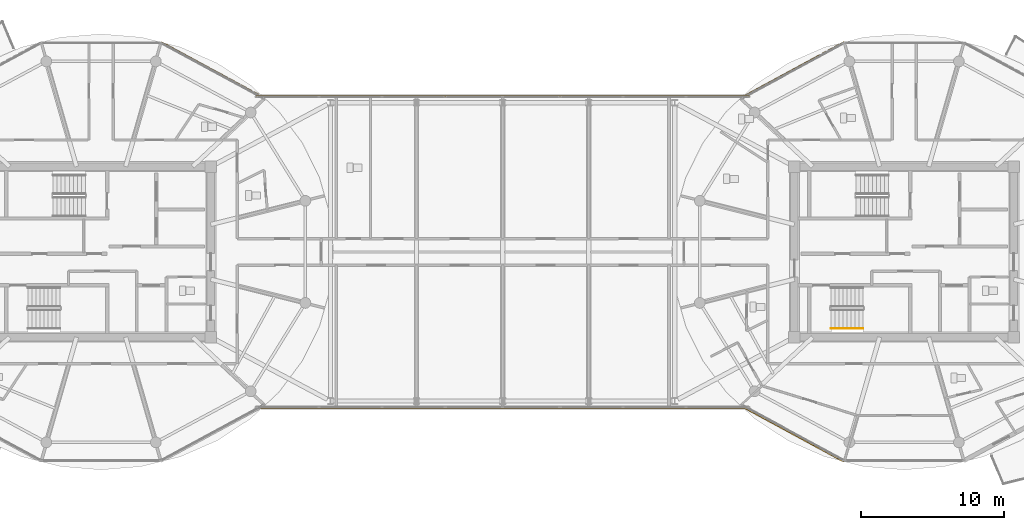
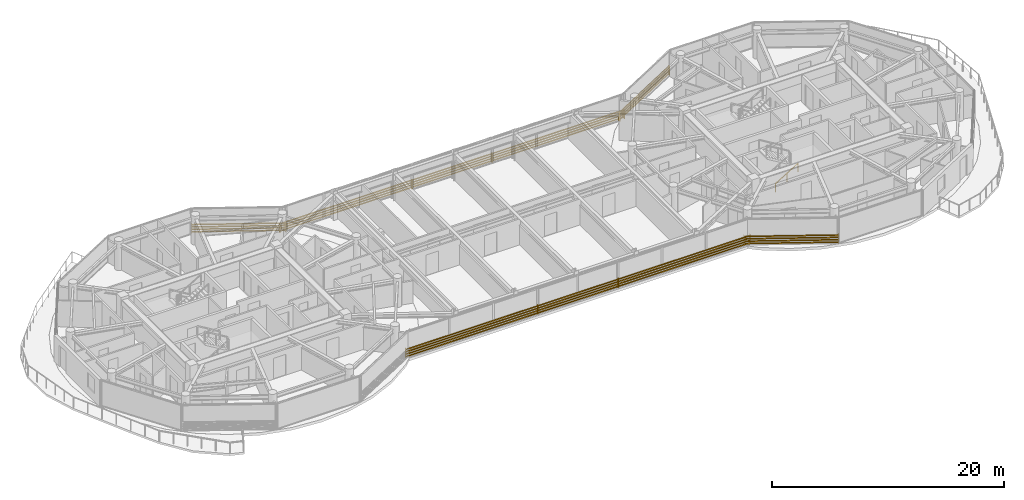
# One storey, part 24 of 26: 9 shading devices, 1 railing.
"""IFC4 building model written with IfcOpenShell, lengths in metres."""

import ifcopenshell
import ifcopenshell.guid

model = None  # the IFC model being written
_history = None  # IfcOwnerHistory: only IFC2X3 demands one
_inside = {}  # id of a spatial element -> (the spatial element, [elements in it])
_under = {}  # id of a project, library or spatial element -> (it, [spatial elements below it])
_declared = {}  # id of a project -> (the project, [libraries it declares])
_typed = {}  # id of a type object -> (the type object, [elements of that type])
_made_of = {}  # id of a material, layer set ... -> (it, [elements and type objects made of it])


def new_model(schema):
    """Start an empty IFC model of exactly this schema.

    Asked for "IFC4X3", IfcOpenShell would pick the latest addendum, in which some entities
    have other attributes; the version numbers below select the first issue.
    IFC2X3 requires an IfcOwnerHistory on every rooted entity: one is made here for all.
    """
    global model, _history
    if schema == "IFC4X3":
        model = ifcopenshell.file(schema_version=(4, 3, 0, 0))
    else:
        model = ifcopenshell.file(schema=schema)
    _inside.clear()
    _under.clear()
    _declared.clear()
    _typed.clear()
    _made_of.clear()
    _history = None
    if model.schema == "IFC2X3":
        org = make("IfcOrganization", Name="unknown")
        user = make(
            "IfcPersonAndOrganization",
            ThePerson=make("IfcPerson", FamilyName="unknown"),
            TheOrganization=org,
        )
        app = make(
            "IfcApplication",
            ApplicationDeveloper=org,
            Version="unknown",
            ApplicationFullName="unknown",
            ApplicationIdentifier="unknown",
        )
        _history = make(
            "IfcOwnerHistory",
            OwningUser=user,
            OwningApplication=app,
            ChangeAction="ADDED",
            CreationDate=0,
        )
    return model


def make(cls, **values):
    """One entity of the class cls with the attributes given. An attribute that is None is left unset."""
    return model.create_entity(
        cls, **{name: value for name, value in values.items() if value is not None}
    )


def rooted(cls, **values):
    """An entity with a GlobalId (a new one), such as an element, a storey or a relation."""
    return make(cls, GlobalId=ifcopenshell.guid.new(), OwnerHistory=_history, **values)


def si_unit(unit_type, name, prefix=None):
    """IfcSIUnit, for example si_unit("LENGTHUNIT", "METRE", prefix="MILLI")."""
    return make("IfcSIUnit", UnitType=unit_type, Prefix=prefix, Name=name)


def assignment(units):
    """IfcUnitAssignment: the units of a project."""
    return None if units is None else make("IfcUnitAssignment", Units=units)


def point(xyz):
    """IfcCartesianPoint."""
    return None if xyz is None else make("IfcCartesianPoint", Coordinates=xyz)


def direction(xyz):
    """IfcDirection."""
    return None if xyz is None else make("IfcDirection", DirectionRatios=xyz)


def frame(location, z_axis=None, x_axis=None):
    """IfcAxis2Placement3D, a coordinate frame: its origin and axes. An axis left out is left unset."""
    return make(
        "IfcAxis2Placement3D",
        Location=point(location),
        Axis=direction(z_axis),
        RefDirection=direction(x_axis),
    )


def frame_2d(location, x_axis=None):
    """IfcAxis2Placement2D, a coordinate frame in the plane: its origin and x axis."""
    return make(
        "IfcAxis2Placement2D", Location=point(location), RefDirection=direction(x_axis)
    )


def origin():
    """The frame at (0, 0, 0) with its axes left unset."""
    return frame((0.0, 0.0, 0.0))


def origin_2d():
    """The frame at (0, 0) in the plane with its x axis left unset."""
    return frame_2d((0.0, 0.0))


def place(relative_to, where):
    """IfcLocalPlacement: puts the frame where relative to a parent placement (None: the world)."""
    return make(
        "IfcLocalPlacement", PlacementRelTo=relative_to, RelativePlacement=where
    )


def context(
    kind, dimensions, precision=None, world=None, true_north=None, identifier=None
):
    """IfcGeometricRepresentationContext, for example the 3D "Model" context."""
    return make(
        "IfcGeometricRepresentationContext",
        ContextIdentifier=identifier,
        ContextType=kind,
        CoordinateSpaceDimension=dimensions,
        Precision=precision,
        WorldCoordinateSystem=world,
        TrueNorth=true_north,
    )


def subcontext(parent, identifier, kind, view, scale=None):
    """IfcGeometricRepresentationSubContext, for example "Body" below "Model"."""
    return make(
        "IfcGeometricRepresentationSubContext",
        ContextIdentifier=identifier,
        ContextType=kind,
        ParentContext=parent,
        TargetScale=scale,
        TargetView=view,
    )


def project(units=None, contexts=None):
    """IfcProject with its units and contexts."""
    return rooted(
        "IfcProject",
        Name="project",
        RepresentationContexts=contexts,
        UnitsInContext=assignment(units),
    )


def spatial(cls, under=None, at=None, **own):
    """A site, building, storey or space (cls), placed at a placement, below another one or the project."""
    s = rooted(cls, ObjectPlacement=at, **own)
    if under is not None:
        _under.setdefault(under.id(), (under, []))[1].append(s)
    return s


def profile(cls, at=None, kind="AREA", **sizes):
    """A parametric profile (cls). Its sizes go by their IFC names, for example OverallWidth=200.0."""
    return make(cls, ProfileType=kind, Position=at, **sizes)


def rectangle(**sizes):
    """IfcRectangleProfileDef."""
    return profile("IfcRectangleProfileDef", **sizes)


def extrude(swept, where, along, depth):
    """IfcExtrudedAreaSolid: the profile swept, set in the frame where, extruded along a direction by depth."""
    return make(
        "IfcExtrudedAreaSolid",
        SweptArea=swept,
        Position=where,
        ExtrudedDirection=direction(along),
        Depth=depth,
    )


def shape(context_of_items, identifier, shape_type, items):
    """IfcShapeRepresentation: the items that make up one representation, for example the "Body"."""
    return make(
        "IfcShapeRepresentation",
        ContextOfItems=context_of_items,
        RepresentationIdentifier=identifier,
        RepresentationType=shape_type,
        Items=items,
    )


def source(mapping_origin, context_of_items, identifier, shape_type, items):
    """IfcRepresentationMap: a shape defined once, which mapped items show again and again."""
    return make(
        "IfcRepresentationMap",
        MappingOrigin=mapping_origin,
        MappedRepresentation=shape(context_of_items, identifier, shape_type, items),
    )


def transform(
    local_origin,
    x_axis=None,
    y_axis=None,
    z_axis=None,
    scale=None,
    scale2=None,
    scale3=None,
    uniform=True,
):
    """IfcCartesianTransformationOperator3D, or its non-uniform kind. x_axis, y_axis, z_axis: its Axis1, 2, 3."""
    if uniform:
        return make(
            "IfcCartesianTransformationOperator3D",
            Axis1=direction(x_axis),
            Axis2=direction(y_axis),
            LocalOrigin=point(local_origin),
            Scale=scale,
            Axis3=direction(z_axis),
        )
    return make(
        "IfcCartesianTransformationOperator3DnonUniform",
        Axis1=direction(x_axis),
        Axis2=direction(y_axis),
        LocalOrigin=point(local_origin),
        Scale=scale,
        Axis3=direction(z_axis),
        Scale2=scale2,
        Scale3=scale3,
    )


def mapped(mapping_source, mapping_target):
    """IfcMappedItem: shows the shape of a source again, moved by a transform."""
    return make(
        "IfcMappedItem", MappingSource=mapping_source, MappingTarget=mapping_target
    )


def material(Name=None, Category=None):
    """IfcMaterial."""
    return make("IfcMaterial", Name=Name, Category=Category)


def made_of(thing, what):
    """Note that an element or type object is made of a material, layer set ...; save() writes the relation."""
    if what is not None:
        _made_of.setdefault(what.id(), (what, []))[1].append(thing)
    return thing


def type_object(cls, material=None, **own):
    """A type object (cls), such as IfcWallType, which elements share."""
    return made_of(rooted(cls, **own), material)


def type_shapes(of_type, sources):
    """Give a type object the sources (RepresentationMaps) that its elements show as mapped items."""
    of_type.RepresentationMaps = sources


def element(
    cls,
    number,
    at=None,
    inside=None,
    cuts=None,
    type_object=None,
    material=None,
    context=None,
    identifier="Body",
    shape_type=None,
    held_by="IfcProductDefinitionShape",
    body=None,
    shapes=None,
    **own,
):
    """One element of the class cls, such as IfcWall. Its Tag is "e" and its number.

    at: its placement. inside: the storey or other place that contains it. cuts: it is an
    opening in that element (IfcRelVoidsElement). A single representation is given by context,
    identifier, shape_type and body (its items); several are given by shapes. held_by: the class
    of the entity that holds the representations. save() writes the other relations.
    """
    e = rooted(cls, Tag="e%d" % number, ObjectPlacement=at, **own)
    if body is not None:
        shapes = [shape(context, identifier, shape_type, body)]
    if shapes is not None:
        e.Representation = make(held_by, Representations=shapes)
    if inside is not None:
        _inside.setdefault(inside.id(), (inside, []))[1].append(e)
    if cuts is not None:
        rooted(
            "IfcRelVoidsElement", RelatingBuildingElement=cuts, RelatedOpeningElement=e
        )
    if type_object is not None:
        _typed.setdefault(type_object.id(), (type_object, []))[1].append(e)
    return made_of(e, material)


def aggregate(whole, parts):
    """IfcRelAggregates: a whole, such as a stair, and the parts it consists of."""
    return rooted("IfcRelAggregates", RelatingObject=whole, RelatedObjects=parts)


def save(model, path):
    """Write the relations noted so far, then the file.

    IfcRelAggregates (storeys below a building ...), IfcRelContainedInSpatialStructure (elements
    in a storey), IfcRelDefinesByType, IfcRelAssociatesMaterial and IfcRelDeclares: one each for
    every whole, place, type object, material and project.
    """
    for whole, parts in _under.values():
        aggregate(whole, parts)
    for where, things in _inside.values():
        rooted(
            "IfcRelContainedInSpatialStructure",
            RelatedElements=things,
            RelatingStructure=where,
        )
    for kind, things in _typed.values():
        rooted("IfcRelDefinesByType", RelatedObjects=things, RelatingType=kind)
    for what, things in _made_of.values():
        rooted("IfcRelAssociatesMaterial", RelatedObjects=things, RelatingMaterial=what)
    for by, libraries in _declared.values():
        rooted("IfcRelDeclares", RelatingContext=by, RelatedDefinitions=libraries)
    model.write(path)


model = new_model("IFC4")

# Units and contexts
model_context = context("Model", 3, precision=1e-05, world=origin(), true_north=direction((0.0, 1.0)))
body_context = subcontext(model_context, "Body", "Model", "MODEL_VIEW")
ifc_project = project(units=[si_unit("LENGTHUNIT", "METRE"), si_unit("AREAUNIT", "SQUARE_METRE"), si_unit("VOLUMEUNIT", "CUBIC_METRE"), si_unit("PLANEANGLEUNIT", "RADIAN"), si_unit("MASSUNIT", "GRAM", prefix="KILO")], contexts=[model_context])

# Site, building, storey
site_placement = place(None, origin())
site = spatial("IfcSite", under=ifc_project, at=site_placement, CompositionType="ELEMENT")
building_placement = place(site_placement, origin())
building = spatial("IfcBuilding", under=site, at=building_placement, Name="Norrkilde Senior Care Towers", CompositionType="ELEMENT")
storey_placement = place(building_placement, frame((0.0, 0.0, 210.85009765625)))
storey = spatial("IfcBuildingStorey", under=building, at=storey_placement, Name="L65", CompositionType="ELEMENT", Elevation=210.85009765625)

# Railing
ifc_material_1 = material(Name="Nordic Ash Timber", Category="wood")
railing_type = type_object("IfcRailingType", Name="Wall and Stair Handrail 900", PredefinedType="HANDRAIL", material=ifc_material_1)
railing_placement = place(storey_placement, frame((22.89990234375, -5.35009765625, 0.16943359375)))
element("IfcRailing", 1, at=railing_placement, inside=storey, type_object=railing_type, Name="L65 ST-E2 stair handrail 1", PredefinedType="HANDRAIL", context=body_context, shape_type="SweptSolid", body=[
    extrude(rectangle(XDim=0.048095703125, YDim=0.048095703125, at=origin_2d()), frame((0.0, 0.0, 0.8759765625), z_axis=(0.855553338991, 0.0, 0.51771467445), x_axis=(0.0, 1.0, 0.0)), (0.0, 0.0, 1.0), 2.6181640625),
    extrude(rectangle(XDim=0.0419921875, YDim=0.0419921875, at=origin_2d()), origin(), (0.0, 0.0, 1.0), 0.849853515625),
    extrude(rectangle(XDim=0.0419921875, YDim=0.0419921875, at=origin_2d()), frame((1.1201171875, 0.0, 0.677734375)), (0.0, 0.0, 1.0), 0.849853515625),
    extrude(rectangle(XDim=0.0419921875, YDim=0.0419921875, at=origin_2d()), frame((2.239990234375, 0.0, 1.35546875)), (0.0, 0.0, 1.0), 0.849853515625),
])

# Shading devices
ifc_material_2 = material(Name="Architectural Terracotta", Category="masonry")
shading_device_type = type_object("IfcShadingDeviceType", Name="Horizontal Terracotta Baguette Rack", PredefinedType="USERDEFINED", material=ifc_material_2)
shared_shape_1 = source(origin(), body_context, "Body", "SweptSolid", [
    extrude(rectangle(XDim=0.070068359375, YDim=0.110107421875, at=origin_2d()), frame((0.0, 0.090087890625, 0.125), z_axis=(1.0, 0.0, 0.0), x_axis=(0.0, 1.0, 0.0)), (0.0, 0.0, 1.0), 8.197265625),
    extrude(rectangle(XDim=0.070068359375, YDim=0.110107421875, at=origin_2d()), frame((0.0, 0.090087890625, 0.375), z_axis=(1.0, 0.0, 0.0), x_axis=(0.0, 1.0, 0.0)), (0.0, 0.0, 1.0), 8.197265625),
    extrude(rectangle(XDim=0.070068359375, YDim=0.110107421875, at=origin_2d()), frame((0.0, 0.090087890625, 0.625), z_axis=(1.0, 0.0, 0.0), x_axis=(0.0, 1.0, 0.0)), (0.0, 0.0, 1.0), 8.197265625),
    extrude(rectangle(XDim=0.070068359375, YDim=0.110107421875, at=origin_2d()), frame((0.0, 0.090087890625, 0.875), z_axis=(1.0, 0.0, 0.0), x_axis=(0.0, 1.0, 0.0)), (0.0, 0.0, 1.0), 8.197265625),
    extrude(rectangle(XDim=0.050048828125, YDim=0.1552734375, at=origin_2d()), frame((0.02490234375, 0.047607421875, 0.0)), (0.0, 0.0, 1.0), 1.0),
    extrude(rectangle(XDim=0.050048828125, YDim=0.1552734375, at=origin_2d()), frame((8.17236328125, 0.047607421875, 0.0)), (0.0, 0.0, 1.0), 1.0),
])
for number, where, z_axis, x_axis, name in (
    (2, (-23.838134765625, 14.566162109375, 0.079833984375), (0.0, 0.0, 1.0), (0.879378127234, -0.476143674053, 0.0), "L65 Drum W Terracotta Baguette Screen 01"),
    (3, (16.629638671875, 10.6630859375, 0.079833984375), (0.0, 0.0, 1.0), (0.879378127234, 0.476143674053, 0.0), "L65 Drum E Terracotta Baguette Screen 03"),
    (4, (23.838134765625, -14.566162109375, 0.079833984375), (0.0, 0.0, 1.0), (-0.879378127234, 0.476143674053, 0.0), "L65 Drum E Terracotta Baguette Screen 07"),
):
    element("IfcShadingDevice", number, at=place(storey_placement, frame(where, z_axis=z_axis, x_axis=x_axis)), inside=storey, type_object=shading_device_type, Name=name, ObjectType="BAGUETTE", PredefinedType="USERDEFINED", context=body_context, shape_type="MappedRepresentation", body=[
        mapped(shared_shape_1, transform((0.0, 0.0, 0.0), x_axis=(1.0, 0.0, 0.0), y_axis=(0.0, 1.0, 0.0), z_axis=(0.0, 0.0, 1.0), scale=1.0)),
    ])
shared_shape_2 = source(origin(), body_context, "Body", "SweptSolid", [
    extrude(rectangle(XDim=0.070068359375, YDim=0.110107421875, at=origin_2d()), frame((0.0, 0.090087890625, 0.125), z_axis=(1.0, 0.0, 0.0), x_axis=(0.0, 1.0, 0.0)), (0.0, 0.0, 1.0), 13.199951171875),
    extrude(rectangle(XDim=0.070068359375, YDim=0.110107421875, at=origin_2d()), frame((0.0, 0.090087890625, 0.375), z_axis=(1.0, 0.0, 0.0), x_axis=(0.0, 1.0, 0.0)), (0.0, 0.0, 1.0), 13.199951171875),
    extrude(rectangle(XDim=0.070068359375, YDim=0.110107421875, at=origin_2d()), frame((0.0, 0.090087890625, 0.625), z_axis=(1.0, 0.0, 0.0), x_axis=(0.0, 1.0, 0.0)), (0.0, 0.0, 1.0), 13.199951171875),
    extrude(rectangle(XDim=0.070068359375, YDim=0.110107421875, at=origin_2d()), frame((0.0, 0.090087890625, 0.875), z_axis=(1.0, 0.0, 0.0), x_axis=(0.0, 1.0, 0.0)), (0.0, 0.0, 1.0), 13.199951171875),
    extrude(rectangle(XDim=0.050048828125, YDim=0.1552734375, at=origin_2d()), frame((0.02490234375, 0.047607421875, 0.0)), (0.0, 0.0, 1.0), 1.0),
    extrude(rectangle(XDim=0.050048828125, YDim=0.1552734375, at=origin_2d()), frame((13.1748046875, 0.047607421875, 0.0)), (0.0, 0.0, 1.0), 1.0),
])
for number, where, z_axis, x_axis, name in (
    (5, (-17.199951171875, 10.820068359375, 0.079833984375), (0.0, 0.0, 1.0), (1.0, 0.0, 0.0), "L65 Bridge North Baguette Screen 1"),
    (6, (4.0, 10.820068359375, 0.079833984375), (0.0, 0.0, 1.0), (1.0, 0.0, 0.0), "L65 Bridge North Baguette Screen 3"),
    (7, (17.199951171875, -10.820068359375, 0.079833984375), (0.0, 0.0, 1.0), (-1.0, 0.0, 0.0), "L65 Bridge South Baguette Screen 1"),
    (8, (-4.0, -10.820068359375, 0.079833984375), (0.0, 0.0, 1.0), (-1.0, 0.0, 0.0), "L65 Bridge South Baguette Screen 3"),
):
    element("IfcShadingDevice", number, at=place(storey_placement, frame(where, z_axis=z_axis, x_axis=x_axis)), inside=storey, type_object=shading_device_type, Name=name, ObjectType="BAGUETTE", PredefinedType="USERDEFINED", context=body_context, shape_type="MappedRepresentation", body=[
        mapped(shared_shape_2, transform((0.0, 0.0, 0.0), x_axis=(1.0, 0.0, 0.0), y_axis=(0.0, 1.0, 0.0), z_axis=(0.0, 0.0, 1.0), scale=1.0)),
    ])
shared_shape_3 = source(origin(), body_context, "Body", "SweptSolid", [
    extrude(rectangle(XDim=0.070068359375, YDim=0.110107421875, at=origin_2d()), frame((0.0, 0.090087890625, 0.125), z_axis=(1.0, 0.0, 0.0), x_axis=(0.0, 1.0, 0.0)), (0.0, 0.0, 1.0), 8.0),
    extrude(rectangle(XDim=0.070068359375, YDim=0.110107421875, at=origin_2d()), frame((0.0, 0.090087890625, 0.375), z_axis=(1.0, 0.0, 0.0), x_axis=(0.0, 1.0, 0.0)), (0.0, 0.0, 1.0), 8.0),
    extrude(rectangle(XDim=0.070068359375, YDim=0.110107421875, at=origin_2d()), frame((0.0, 0.090087890625, 0.625), z_axis=(1.0, 0.0, 0.0), x_axis=(0.0, 1.0, 0.0)), (0.0, 0.0, 1.0), 8.0),
    extrude(rectangle(XDim=0.070068359375, YDim=0.110107421875, at=origin_2d()), frame((0.0, 0.090087890625, 0.875), z_axis=(1.0, 0.0, 0.0), x_axis=(0.0, 1.0, 0.0)), (0.0, 0.0, 1.0), 8.0),
    extrude(rectangle(XDim=0.050048828125, YDim=0.1552734375, at=origin_2d()), frame((0.02490234375, 0.047607421875, 0.0)), (0.0, 0.0, 1.0), 1.0),
    extrude(rectangle(XDim=0.050048828125, YDim=0.1552734375, at=origin_2d()), frame((7.97509765625, 0.047607421875, 0.0)), (0.0, 0.0, 1.0), 1.0),
])
type_shapes(shading_device_type, [shared_shape_1, shared_shape_2, shared_shape_3])
for number, where, z_axis, x_axis, name in (
    (9, (-4.0, 10.820068359375, 0.079833984375), (0.0, 0.0, 1.0), (1.0, 0.0, 0.0), "L65 Bridge North Baguette Screen 2"),
    (10, (4.0, -10.820068359375, 0.079833984375), (0.0, 0.0, 1.0), (-1.0, 0.0, 0.0), "L65 Bridge South Baguette Screen 2"),
):
    element("IfcShadingDevice", number, at=place(storey_placement, frame(where, z_axis=z_axis, x_axis=x_axis)), inside=storey, type_object=shading_device_type, Name=name, ObjectType="BAGUETTE", PredefinedType="USERDEFINED", context=body_context, shape_type="MappedRepresentation", body=[
        mapped(shared_shape_3, transform((0.0, 0.0, 0.0), x_axis=(1.0, 0.0, 0.0), y_axis=(0.0, 1.0, 0.0), z_axis=(0.0, 0.0, 1.0), scale=1.0)),
    ])

save(model, "model.ifc")
